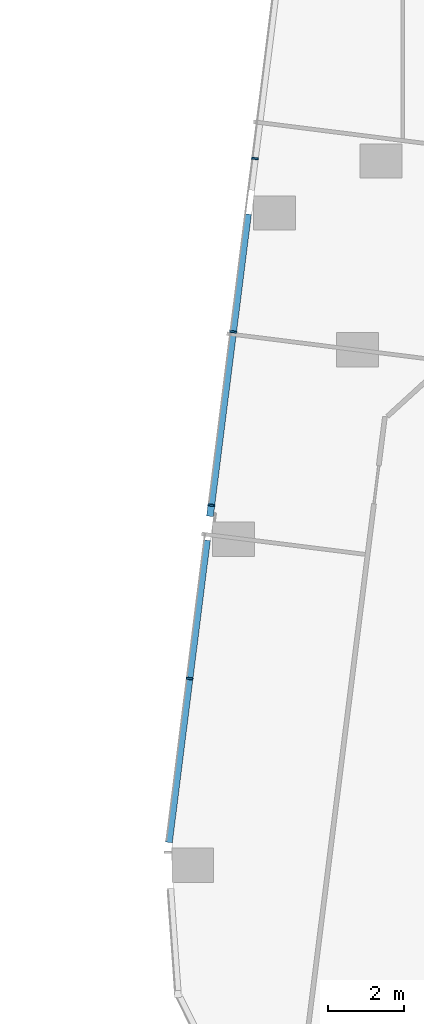
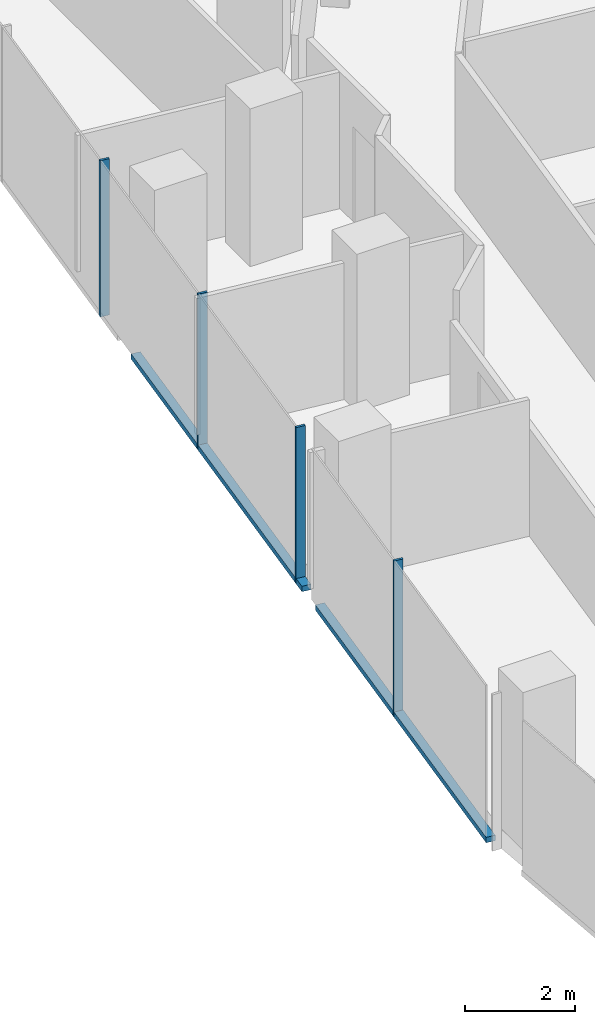
# One storey, part 3 of 27: 6 members, 1 element without a shape of its own.
"""IFC4 building model written with IfcOpenShell, lengths in metres."""

from ifc_helpers import new_model, si_unit, direction, frame, origin, origin_2d, place, context, subcontext, project, spatial, rectangle, extrude, material, material_profile, profile_set, type_object, element, aggregate, save


model = new_model("IFC4")

# Units and contexts
model_context = context("Model", 3, precision=1e-05, world=origin(), true_north=direction((0.0, 1.0)))
body_context = subcontext(model_context, "Body", "Model", "MODEL_VIEW")
ifc_project = project(units=[si_unit("LENGTHUNIT", "METRE"), si_unit("AREAUNIT", "SQUARE_METRE"), si_unit("VOLUMEUNIT", "CUBIC_METRE"), si_unit("PLANEANGLEUNIT", "RADIAN"), si_unit("MASSUNIT", "GRAM", prefix="KILO")], contexts=[model_context])

# Site, building, storey
site_placement = place(None, origin())
site = spatial("IfcSite", under=ifc_project, at=site_placement, CompositionType="ELEMENT")
building_placement = place(site_placement, origin())
building = spatial("IfcBuilding", under=site, at=building_placement, Name="Orlundy Tower", CompositionType="ELEMENT")
storey_placement = place(building_placement, frame((0.0, 0.0, 202.60009765625)))
storey = spatial("IfcBuildingStorey", under=building, at=storey_placement, Name="L53", CompositionType="ELEMENT", Elevation=202.60009765625)

# Curtain wall, members
ifc_material_1 = material(Name="Aluminium bronze anodised", Category="aluminium")
curtain_wall_type = type_object("IfcCurtainWallType", Name="CW1 wall", PredefinedType="NOTDEFINED", material=ifc_material_1)
curtain_wall_placement = place(storey_placement, origin())
curtain_wall = element("IfcCurtainWall", 1, at=curtain_wall_placement, inside=storey, type_object=curtain_wall_type, Name="CW1 run 00", PredefinedType="NOTDEFINED")
ifc_material_2 = material(Name="Aluminium bronze anodised", Category="aluminium")
ifc_material_profile_1 = material_profile(ifc_material_2, rectangle(XDim=0.179931640625, YDim=0.050048828125, at=origin_2d()), Name="CW1 mullion 50x180")
ifc_profile_set_1 = profile_set([ifc_material_profile_1], Name="Aluminium bronze anodised")
member_type_1 = type_object("IfcMemberType", Name="CW1 mullion 50x180", PredefinedType="MULLION", material=ifc_profile_set_1)
member_1_placement = place(storey_placement, frame((-25.598876953125, -42.550048828125, -0.420166015625), z_axis=(0.0, 0.0, 1.0), x_axis=(-0.992186526754, 0.124763360518, 0.0)))
member_1 = element("IfcMember", 2, at=member_1_placement, type_object=member_type_1, Name="CW1 mullion 2", PredefinedType="MULLION", context=body_context, shape_type="SweptSolid", body=[
    extrude(rectangle(XDim=0.179931640625, YDim=0.050048828125, at=origin_2d()), origin(), (0.0, 0.0, 1.0), 3.469970703125),
])
member_2_placement = place(storey_placement, frame((-25.0263671875, -37.9970703125, -0.420166015625), z_axis=(0.0, 0.0, 1.0), x_axis=(-0.992186526754, 0.124763360518, 0.0)))
member_2 = element("IfcMember", 3, at=member_2_placement, type_object=member_type_1, Name="CW1 mullion 3", PredefinedType="MULLION", context=body_context, shape_type="SweptSolid", body=[
    extrude(rectangle(XDim=0.179931640625, YDim=0.050048828125, at=origin_2d()), origin(), (0.0, 0.0, 1.0), 3.469970703125),
])
member_3_placement = place(storey_placement, frame((-24.453857421875, -33.4443359375, -0.420166015625), z_axis=(0.0, 0.0, 1.0), x_axis=(-0.992186526754, 0.124763360518, 0.0)))
member_3 = element("IfcMember", 4, at=member_3_placement, type_object=member_type_1, Name="CW1 mullion 4", PredefinedType="MULLION", context=body_context, shape_type="SweptSolid", body=[
    extrude(rectangle(XDim=0.179931640625, YDim=0.050048828125, at=origin_2d()), origin(), (0.0, 0.0, 1.0), 3.469970703125),
])
member_4_placement = place(storey_placement, frame((-23.88134765625, -28.891357421875, -0.420166015625), z_axis=(0.0, 0.0, 1.0), x_axis=(-0.992186526754, 0.124763360518, 0.0)))
member_4 = element("IfcMember", 5, at=member_4_placement, type_object=member_type_1, Name="CW1 mullion 5", PredefinedType="MULLION", context=body_context, shape_type="SweptSolid", body=[
    extrude(rectangle(XDim=0.179931640625, YDim=0.050048828125, at=origin_2d()), origin(), (0.0, 0.0, 1.0), 3.469970703125),
])
ifc_material_3 = material(Name="Aluminium bronze anodised", Category="aluminium")
ifc_material_profile_2 = material_profile(ifc_material_3, rectangle(XDim=0.179931640625, YDim=0.1201171875, at=origin_2d()), Name="CW1 transom 180x120")
ifc_profile_set_2 = profile_set([ifc_material_profile_2], Name="Aluminium bronze anodised")
member_type_2 = type_object("IfcMemberType", Name="CW1 transom 180x120", PredefinedType="USERDEFINED", material=ifc_profile_set_2)
member_5_placement = place(storey_placement, frame((-26.14013671875, -46.85400390625, -0.360107421875), z_axis=(0.124767189185, 0.992186045307, 0.0), x_axis=(-0.992186045307, 0.124767189185, 0.0)))
member_5 = element("IfcMember", 6, at=member_5_placement, type_object=member_type_2, Name="CW1 transom", ObjectType="TRANSOM", PredefinedType="USERDEFINED", context=body_context, shape_type="SweptSolid", body=[
    extrude(rectangle(XDim=0.179931640625, YDim=0.1201171875, at=origin_2d()), origin(), (0.0, 0.0, 1.0), 7.999267578125),
])
member_6_placement = place(storey_placement, frame((-25.06298828125, -38.2880859375, -0.360107421875), z_axis=(0.124782303734, 0.992184144539, 0.0), x_axis=(-0.992184144539, 0.124782303734, 0.0)))
member_6 = element("IfcMember", 7, at=member_6_placement, type_object=member_type_2, Name="CW1 transom", ObjectType="TRANSOM", PredefinedType="USERDEFINED", context=body_context, shape_type="SweptSolid", body=[
    extrude(rectangle(XDim=0.179931640625, YDim=0.1201171875, at=origin_2d()), origin(), (0.0, 0.0, 1.0), 7.998291015625),
])
aggregate(curtain_wall, [member_1, member_2, member_3, member_4, member_5, member_6])

save(model, "model.ifc")
